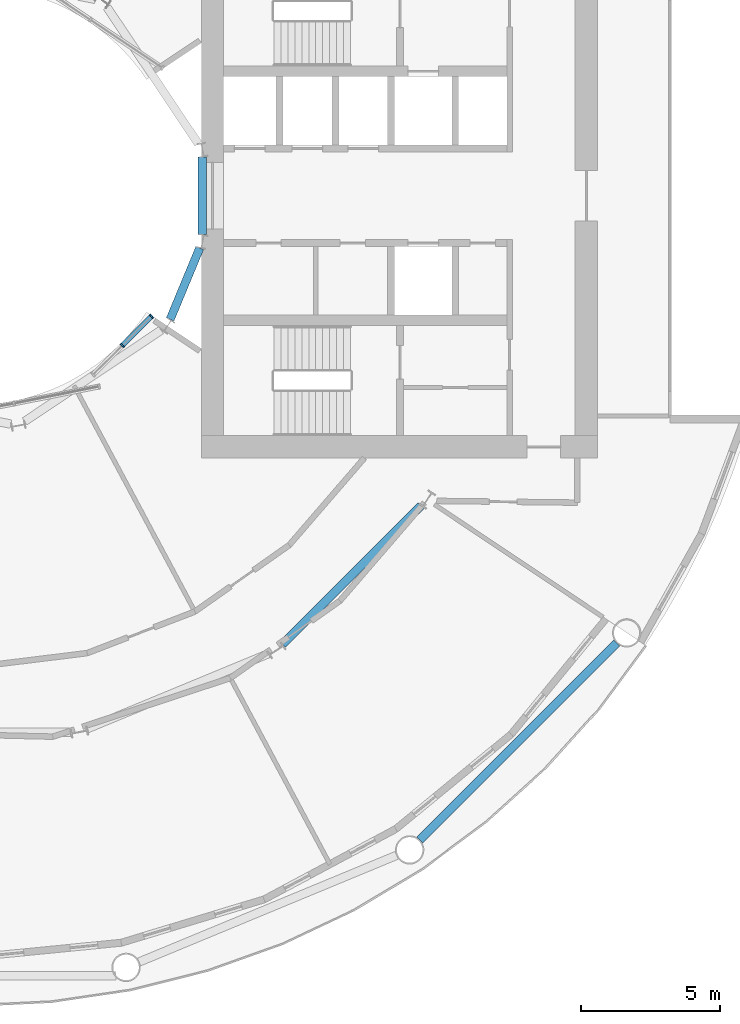
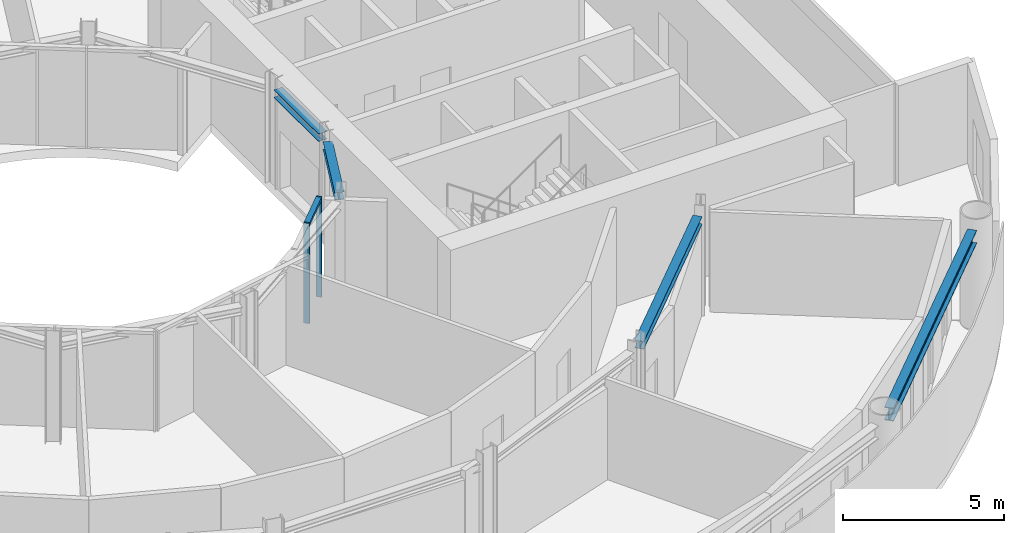
# One storey, part 6 of 19: 4 beams, 3 members, 1 element without a shape of its own.
"""IFC4 building model written with IfcOpenShell, lengths in metres."""

from ifc_helpers import new_model, si_unit, direction, frame, origin, origin_2d, place, context, subcontext, project, spatial, rectangle, i_section, extrude, material, layer, layer_set, material_profile, profile_set, type_object, element, aggregate, save


model = new_model("IFC4")

# Units and contexts
model_context = context("Model", 3, precision=1e-05, world=origin(), true_north=direction((0.0, 1.0)))
body_context = subcontext(model_context, "Body", "Model", "MODEL_VIEW")
ifc_project = project(units=[si_unit("LENGTHUNIT", "METRE"), si_unit("AREAUNIT", "SQUARE_METRE"), si_unit("VOLUMEUNIT", "CUBIC_METRE"), si_unit("PLANEANGLEUNIT", "RADIAN"), si_unit("MASSUNIT", "GRAM", prefix="KILO")], contexts=[model_context])

# Site, building, storey
site_placement = place(None, origin())
site = spatial("IfcSite", under=ifc_project, at=site_placement, CompositionType="ELEMENT")
building_placement = place(site_placement, origin())
building = spatial("IfcBuilding", under=site, at=building_placement, Name="Maasbend Ring Residences", CompositionType="ELEMENT")
storey_placement = place(building_placement, frame((0.0, 0.0, 53.300048828125)))
storey = spatial("IfcBuildingStorey", under=building, at=storey_placement, Name="L15", CompositionType="ELEMENT", Elevation=53.300048828125)

# Curtain wall, members
ifc_material_1 = material(Name="Aluminium and clear glass", Category="aluminium")
ifc_layer = layer(ifc_material_1, 0.179931640625)
ifc_layer_set = layer_set([ifc_layer], Name="CW-W")
curtain_wall_type = type_object("IfcCurtainWallType", Name="CW-W", PredefinedType="NOTDEFINED", material=ifc_layer_set)
curtain_wall_placement = place(storey_placement, origin())
curtain_wall = element("IfcCurtainWall", 1, at=curtain_wall_placement, inside=storey, type_object=curtain_wall_type, Name="Well curtain wall S3", PredefinedType="NOTDEFINED")
ifc_material_2 = material(Name="Aluminium 6063-T6", Category="aluminium")
ifc_material_profile_1 = material_profile(ifc_material_2, rectangle(XDim=0.179931640625, YDim=0.06005859375, at=origin_2d()), Name="AL 180x60")
ifc_profile_set_1 = profile_set([ifc_material_profile_1], Name="Aluminium 6063-T6")
member_type_1 = type_object("IfcMemberType", Name="CWM-W", PredefinedType="MULLION", material=ifc_profile_set_1)
member_1_placement = place(storey_placement, frame((5.366943359375, -5.366943359375, 0.0), z_axis=(0.0, 0.0, 1.0), x_axis=(-0.707106781187, 0.707106781187, 0.0)))
member_1 = element("IfcMember", 2, at=member_1_placement, type_object=member_type_1, Name="Mullion well face", PredefinedType="MULLION", context=body_context, shape_type="SweptSolid", body=[
    extrude(rectangle(XDim=0.179931640625, YDim=0.06005859375, at=origin_2d()), origin(), (0.0, 0.0, 1.0), 3.800048828125),
])
member_2_placement = place(storey_placement, frame((6.413330078125, -4.320556640625, 0.0), z_axis=(0.0, 0.0, 1.0), x_axis=(-0.707106781187, 0.707106781187, 0.0)))
member_2 = element("IfcMember", 3, at=member_2_placement, type_object=member_type_1, Name="Mullion well face", PredefinedType="MULLION", context=body_context, shape_type="SweptSolid", body=[
    extrude(rectangle(XDim=0.179931640625, YDim=0.06005859375, at=origin_2d()), origin(), (0.0, 0.0, 1.0), 3.800048828125),
])
ifc_material_3 = material(Name="Aluminium 6063-T6", Category="aluminium")
ifc_material_profile_2 = material_profile(ifc_material_3, rectangle(XDim=0.179931640625, YDim=0.1201171875, at=origin_2d()), Name="AL 180x120")
ifc_profile_set_2 = profile_set([ifc_material_profile_2], Name="Aluminium 6063-T6")
member_type_2 = type_object("IfcMemberType", Name="CWT-W", PredefinedType="USERDEFINED", material=ifc_profile_set_2)
member_3_placement = place(storey_placement, frame((5.38818359375, -5.345703125, 3.739990234375), z_axis=(0.707106781187, 0.707106781187, 0.0), x_axis=(-0.707106781187, 0.707106781187, 0.0)))
member_3 = element("IfcMember", 4, at=member_3_placement, type_object=member_type_2, Name="Transom well face", ObjectType="TRANSOM", PredefinedType="USERDEFINED", context=body_context, shape_type="SweptSolid", body=[
    extrude(rectangle(XDim=0.179931640625, YDim=0.1201171875, at=origin_2d()), origin(), (0.0, 0.0, 1.0), 1.419677734375),
])
aggregate(curtain_wall, [member_1, member_2, member_3])

# Beams
ifc_material_4 = material(Name="Steel S355J2", Category="steel")
ifc_material_profile_3 = material_profile(ifc_material_4, i_section(OverallWidth=0.300048828125, OverallDepth=0.300048828125, WebThickness=0.010986328125, FlangeThickness=0.01904296875, FilletRadius=0.027099609375, at=origin_2d()), Name="HEB 300")
ifc_profile_set_3 = profile_set([ifc_material_profile_3], Name="Steel S355J2")
beam_type_1 = type_object("IfcBeamType", Name="Corridor ring beam HEB 300", PredefinedType="BEAM", material=ifc_profile_set_3)
beam_1_placement = place(storey_placement, frame((11.11279296875, -16.0732421875, 3.64990234375), z_axis=(0.707106781187, 0.707106781187, 0.0), x_axis=(-0.707106781187, 0.707106781187, 0.0)))
element("IfcBeam", 5, at=beam_1_placement, inside=storey, type_object=beam_type_1, Name="Corridor ring beam", PredefinedType="BEAM", context=body_context, shape_type="SweptSolid", body=[
    extrude(i_section(OverallWidth=0.300048828125, OverallDepth=0.300048828125, WebThickness=0.010986328125, FlangeThickness=0.01904296875, FilletRadius=0.027099609375, at=origin_2d()), origin(), (0.0, 0.0, 1.0), 7.01513671875),
])
ifc_material_5 = material(Name="Steel S355J2", Category="steel")
ifc_material_profile_4 = material_profile(ifc_material_5, i_section(OverallWidth=0.300048828125, OverallDepth=0.5, WebThickness=0.014404296875, FlangeThickness=0.028076171875, FilletRadius=0.027099609375, at=origin_2d()), Name="HEB 500")
ifc_profile_set_4 = profile_set([ifc_material_profile_4], Name="Steel S355J2")
beam_type_2 = type_object("IfcBeamType", Name="Spandrel ring beam HEB 500", PredefinedType="SPANDREL", material=ifc_profile_set_4)
beam_2_placement = place(storey_placement, frame((16.0263671875, -23.088134765625, 3.550048828125), z_axis=(0.707106781187, 0.707106781187, 0.0), x_axis=(-0.707106781187, 0.707106781187, 0.0)))
element("IfcBeam", 6, at=beam_2_placement, inside=storey, type_object=beam_type_2, Name="Spandrel ring beam", PredefinedType="SPANDREL", context=body_context, shape_type="SweptSolid", body=[
    extrude(i_section(OverallWidth=0.300048828125, OverallDepth=0.5, WebThickness=0.014404296875, FlangeThickness=0.028076171875, FilletRadius=0.027099609375, at=origin_2d()), origin(), (0.0, 0.0, 1.0), 9.98681640625),
])
ifc_material_6 = material(Name="Steel S355J2", Category="steel")
ifc_material_profile_5 = material_profile(ifc_material_6, i_section(OverallWidth=0.300048828125, OverallDepth=0.300048828125, WebThickness=0.010986328125, FlangeThickness=0.01904296875, FilletRadius=0.027099609375, at=origin_2d()), Name="HEB 300")
ifc_profile_set_5 = profile_set([ifc_material_profile_5], Name="Steel S355J2")
beam_type_3 = type_object("IfcBeamType", Name="Well edge beam HEB 300", PredefinedType="BEAM", material=ifc_profile_set_5)
beam_3_placement = place(storey_placement, frame((7.081787109375, -4.431396484375, 3.64990234375), z_axis=(0.382723119906, 0.923863092395, 0.0), x_axis=(-0.923863092395, 0.382723119906, 0.0)))
element("IfcBeam", 7, at=beam_3_placement, inside=storey, type_object=beam_type_3, Name="Well edge beam", PredefinedType="BEAM", context=body_context, shape_type="SweptSolid", body=[
    extrude(i_section(OverallWidth=0.300048828125, OverallDepth=0.300048828125, WebThickness=0.010986328125, FlangeThickness=0.01904296875, FilletRadius=0.027099609375, at=origin_2d()), origin(), (0.0, 0.0, 1.0), 2.767822265625),
])
beam_4_placement = place(storey_placement, frame((8.238525390625, -1.3837890625, 3.64990234375), z_axis=(0.0, 1.0, 0.0), x_axis=(-1.0, 0.0, 0.0)))
element("IfcBeam", 8, at=beam_4_placement, inside=storey, type_object=beam_type_3, Name="Well edge beam", PredefinedType="BEAM", context=body_context, shape_type="SweptSolid", body=[
    extrude(i_section(OverallWidth=0.300048828125, OverallDepth=0.300048828125, WebThickness=0.010986328125, FlangeThickness=0.01904296875, FilletRadius=0.027099609375, at=origin_2d()), origin(), (0.0, 0.0, 1.0), 2.767578125),
])

save(model, "model.ifc")
